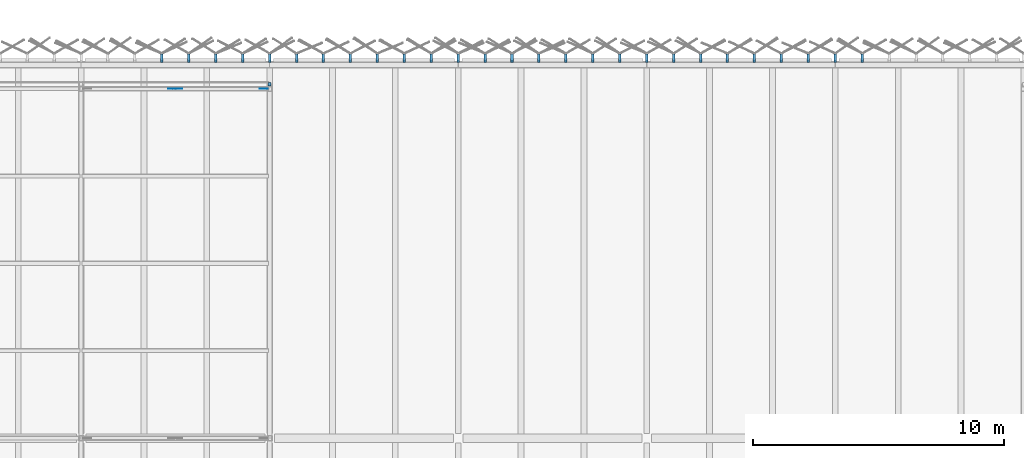
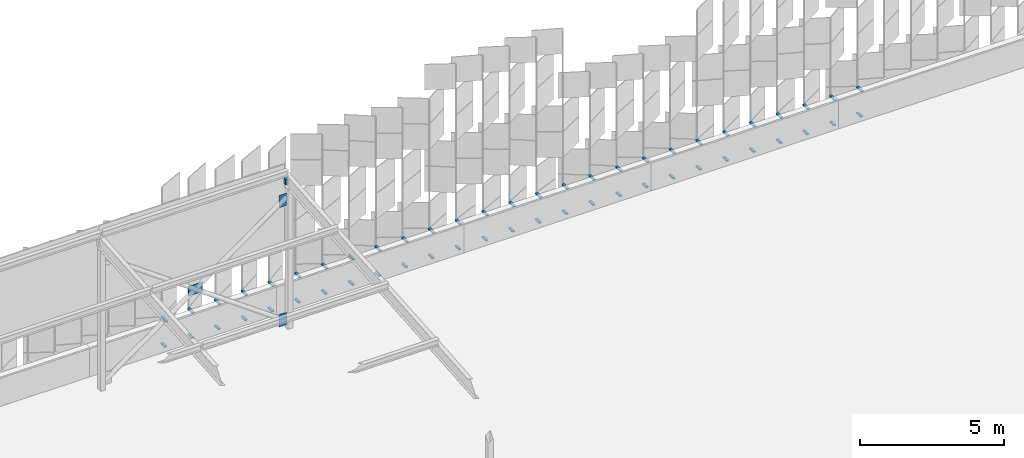
# One storey, part 455 of 483: 58 discrete accessories.
"""IFC4 building model written with IfcOpenShell, lengths in metres."""

import ifcopenshell
import ifcopenshell.guid

model = None  # the IFC model being written
_history = None  # IfcOwnerHistory: only IFC2X3 demands one
_inside = {}  # id of a spatial element -> (the spatial element, [elements in it])
_under = {}  # id of a project, library or spatial element -> (it, [spatial elements below it])
_declared = {}  # id of a project -> (the project, [libraries it declares])
_typed = {}  # id of a type object -> (the type object, [elements of that type])
_made_of = {}  # id of a material, layer set ... -> (it, [elements and type objects made of it])


def new_model(schema):
    """Start an empty IFC model of exactly this schema.

    Asked for "IFC4X3", IfcOpenShell would pick the latest addendum, in which some entities
    have other attributes; the version numbers below select the first issue.
    IFC2X3 requires an IfcOwnerHistory on every rooted entity: one is made here for all.
    """
    global model, _history
    if schema == "IFC4X3":
        model = ifcopenshell.file(schema_version=(4, 3, 0, 0))
    else:
        model = ifcopenshell.file(schema=schema)
    _inside.clear()
    _under.clear()
    _declared.clear()
    _typed.clear()
    _made_of.clear()
    _history = None
    if model.schema == "IFC2X3":
        org = make("IfcOrganization", Name="unknown")
        user = make(
            "IfcPersonAndOrganization",
            ThePerson=make("IfcPerson", FamilyName="unknown"),
            TheOrganization=org,
        )
        app = make(
            "IfcApplication",
            ApplicationDeveloper=org,
            Version="unknown",
            ApplicationFullName="unknown",
            ApplicationIdentifier="unknown",
        )
        _history = make(
            "IfcOwnerHistory",
            OwningUser=user,
            OwningApplication=app,
            ChangeAction="ADDED",
            CreationDate=0,
        )
    return model


def make(cls, **values):
    """One entity of the class cls with the attributes given. An attribute that is None is left unset."""
    return model.create_entity(
        cls, **{name: value for name, value in values.items() if value is not None}
    )


def rooted(cls, **values):
    """An entity with a GlobalId (a new one), such as an element, a storey or a relation."""
    return make(cls, GlobalId=ifcopenshell.guid.new(), OwnerHistory=_history, **values)


def si_unit(unit_type, name, prefix=None):
    """IfcSIUnit, for example si_unit("LENGTHUNIT", "METRE", prefix="MILLI")."""
    return make("IfcSIUnit", UnitType=unit_type, Prefix=prefix, Name=name)


def assignment(units):
    """IfcUnitAssignment: the units of a project."""
    return None if units is None else make("IfcUnitAssignment", Units=units)


def point(xyz):
    """IfcCartesianPoint."""
    return None if xyz is None else make("IfcCartesianPoint", Coordinates=xyz)


def direction(xyz):
    """IfcDirection."""
    return None if xyz is None else make("IfcDirection", DirectionRatios=xyz)


def frame(location, z_axis=None, x_axis=None):
    """IfcAxis2Placement3D, a coordinate frame: its origin and axes. An axis left out is left unset."""
    return make(
        "IfcAxis2Placement3D",
        Location=point(location),
        Axis=direction(z_axis),
        RefDirection=direction(x_axis),
    )


def frame_2d(location, x_axis=None):
    """IfcAxis2Placement2D, a coordinate frame in the plane: its origin and x axis."""
    return make(
        "IfcAxis2Placement2D", Location=point(location), RefDirection=direction(x_axis)
    )


def origin():
    """The frame at (0, 0, 0) with its axes left unset."""
    return frame((0.0, 0.0, 0.0))


def origin_2d():
    """The frame at (0, 0) in the plane with its x axis left unset."""
    return frame_2d((0.0, 0.0))


def place(relative_to, where):
    """IfcLocalPlacement: puts the frame where relative to a parent placement (None: the world)."""
    return make(
        "IfcLocalPlacement", PlacementRelTo=relative_to, RelativePlacement=where
    )


def context(
    kind, dimensions, precision=None, world=None, true_north=None, identifier=None
):
    """IfcGeometricRepresentationContext, for example the 3D "Model" context."""
    return make(
        "IfcGeometricRepresentationContext",
        ContextIdentifier=identifier,
        ContextType=kind,
        CoordinateSpaceDimension=dimensions,
        Precision=precision,
        WorldCoordinateSystem=world,
        TrueNorth=true_north,
    )


def subcontext(parent, identifier, kind, view, scale=None):
    """IfcGeometricRepresentationSubContext, for example "Body" below "Model"."""
    return make(
        "IfcGeometricRepresentationSubContext",
        ContextIdentifier=identifier,
        ContextType=kind,
        ParentContext=parent,
        TargetScale=scale,
        TargetView=view,
    )


def project(units=None, contexts=None):
    """IfcProject with its units and contexts."""
    return rooted(
        "IfcProject",
        Name="project",
        RepresentationContexts=contexts,
        UnitsInContext=assignment(units),
    )


def spatial(cls, under=None, at=None, **own):
    """A site, building, storey or space (cls), placed at a placement, below another one or the project."""
    s = rooted(cls, ObjectPlacement=at, **own)
    if under is not None:
        _under.setdefault(under.id(), (under, []))[1].append(s)
    return s


def polyline(points):
    """IfcPolyline through the points."""
    return make("IfcPolyline", Points=[point(p) for p in points])


def profile(cls, at=None, kind="AREA", **sizes):
    """A parametric profile (cls). Its sizes go by their IFC names, for example OverallWidth=200.0."""
    return make(cls, ProfileType=kind, Position=at, **sizes)


def rectangle(**sizes):
    """IfcRectangleProfileDef."""
    return profile("IfcRectangleProfileDef", **sizes)


def outline(outer, holes=None, kind="AREA"):
    """IfcArbitraryClosedProfileDef: a profile drawn as a closed curve; with holes, ...WithVoids."""
    if holes is None:
        return make("IfcArbitraryClosedProfileDef", ProfileType=kind, OuterCurve=outer)
    return make(
        "IfcArbitraryProfileDefWithVoids",
        ProfileType=kind,
        OuterCurve=outer,
        InnerCurves=holes,
    )


def extrude(swept, where, along, depth):
    """IfcExtrudedAreaSolid: the profile swept, set in the frame where, extruded along a direction by depth."""
    return make(
        "IfcExtrudedAreaSolid",
        SweptArea=swept,
        Position=where,
        ExtrudedDirection=direction(along),
        Depth=depth,
    )


def shape(context_of_items, identifier, shape_type, items):
    """IfcShapeRepresentation: the items that make up one representation, for example the "Body"."""
    return make(
        "IfcShapeRepresentation",
        ContextOfItems=context_of_items,
        RepresentationIdentifier=identifier,
        RepresentationType=shape_type,
        Items=items,
    )


def material(Name=None, Category=None):
    """IfcMaterial."""
    return make("IfcMaterial", Name=Name, Category=Category)


def layer(
    of_material, thickness, ventilated=None, Name=None, Category=None, Priority=None
):
    """IfcMaterialLayer: one layer of a wall or slab, of a material (None: an air gap)."""
    return make(
        "IfcMaterialLayer",
        Material=of_material,
        LayerThickness=thickness,
        IsVentilated=ventilated,
        Name=Name,
        Category=Category,
        Priority=Priority,
    )


def layer_set(layers, Name=None):
    """IfcMaterialLayerSet."""
    return make("IfcMaterialLayerSet", MaterialLayers=layers, LayerSetName=Name)


def made_of(thing, what):
    """Note that an element or type object is made of a material, layer set ...; save() writes the relation."""
    if what is not None:
        _made_of.setdefault(what.id(), (what, []))[1].append(thing)
    return thing


def type_object(cls, material=None, **own):
    """A type object (cls), such as IfcWallType, which elements share."""
    return made_of(rooted(cls, **own), material)


def element(
    cls,
    number,
    at=None,
    inside=None,
    cuts=None,
    type_object=None,
    material=None,
    context=None,
    identifier="Body",
    shape_type=None,
    held_by="IfcProductDefinitionShape",
    body=None,
    shapes=None,
    **own,
):
    """One element of the class cls, such as IfcWall. Its Tag is "e" and its number.

    at: its placement. inside: the storey or other place that contains it. cuts: it is an
    opening in that element (IfcRelVoidsElement). A single representation is given by context,
    identifier, shape_type and body (its items); several are given by shapes. held_by: the class
    of the entity that holds the representations. save() writes the other relations.
    """
    e = rooted(cls, Tag="e%d" % number, ObjectPlacement=at, **own)
    if body is not None:
        shapes = [shape(context, identifier, shape_type, body)]
    if shapes is not None:
        e.Representation = make(held_by, Representations=shapes)
    if inside is not None:
        _inside.setdefault(inside.id(), (inside, []))[1].append(e)
    if cuts is not None:
        rooted(
            "IfcRelVoidsElement", RelatingBuildingElement=cuts, RelatedOpeningElement=e
        )
    if type_object is not None:
        _typed.setdefault(type_object.id(), (type_object, []))[1].append(e)
    return made_of(e, material)


def aggregate(whole, parts):
    """IfcRelAggregates: a whole, such as a stair, and the parts it consists of."""
    return rooted("IfcRelAggregates", RelatingObject=whole, RelatedObjects=parts)


def save(model, path):
    """Write the relations noted so far, then the file.

    IfcRelAggregates (storeys below a building ...), IfcRelContainedInSpatialStructure (elements
    in a storey), IfcRelDefinesByType, IfcRelAssociatesMaterial and IfcRelDeclares: one each for
    every whole, place, type object, material and project.
    """
    for whole, parts in _under.values():
        aggregate(whole, parts)
    for where, things in _inside.values():
        rooted(
            "IfcRelContainedInSpatialStructure",
            RelatedElements=things,
            RelatingStructure=where,
        )
    for kind, things in _typed.values():
        rooted("IfcRelDefinesByType", RelatedObjects=things, RelatingType=kind)
    for what, things in _made_of.values():
        rooted("IfcRelAssociatesMaterial", RelatedObjects=things, RelatingMaterial=what)
    for by, libraries in _declared.values():
        rooted("IfcRelDeclares", RelatingContext=by, RelatedDefinitions=libraries)
    model.write(path)


model = new_model("IFC4")

# Units and contexts
model_context = context("Model", 3, precision=1e-05, world=origin(), true_north=direction((0.0, 1.0)))
body_context = subcontext(model_context, "Body", "Model", "MODEL_VIEW")
ifc_project = project(units=[si_unit("LENGTHUNIT", "METRE"), si_unit("AREAUNIT", "SQUARE_METRE"), si_unit("VOLUMEUNIT", "CUBIC_METRE"), si_unit("PLANEANGLEUNIT", "RADIAN"), si_unit("MASSUNIT", "GRAM", prefix="KILO")], contexts=[model_context])

# Site, building, storey
site_placement = place(None, origin())
site = spatial("IfcSite", under=ifc_project, at=site_placement, CompositionType="ELEMENT")
building_placement = place(site_placement, origin())
building = spatial("IfcBuilding", under=site, at=building_placement, Name="Parallax Yard Mobility Hub", CompositionType="ELEMENT")
storey_placement = place(building_placement, frame((0.0, 0.0, 13.199951171875)))
storey = spatial("IfcBuildingStorey", under=building, at=storey_placement, Name="L04", CompositionType="ELEMENT", Elevation=13.199951171875)

# Discrete accessories
ifc_material_1 = material(Name="Steel ASTM A36", Category="steel")
ifc_layer = layer(ifc_material_1, 0.011962890625)
ifc_layer_set = layer_set([ifc_layer], Name="Gusset plate PL12")
discrete_accessory_type_1 = type_object("IfcDiscreteAccessoryType", Name="Gusset plate PL12", PredefinedType="BRACKET", material=ifc_layer_set)
discrete_accessory_1_placement = place(storey_placement, frame((0.0, 0.0, 5.196533203125)))
element("IfcDiscreteAccessory", 1, at=discrete_accessory_1_placement, inside=storey, type_object=discrete_accessory_type_1, Name="Gusset plate PL12 RC bay N-B bay 4 head on post N-B5", PredefinedType="BRACKET", context=body_context, shape_type="SweptSolid", body=[
    extrude(outline(polyline([(119.91845703125, 141.406005859375), (119.598388671875, 141.406005859375), (119.598388671875, 141.39404296875), (119.91845703125, 141.39404296875), (119.91845703125, 141.406005859375)])), origin(), (0.0, 0.0, 1.0), 0.515625),
])
discrete_accessory_2_placement = place(storey_placement, frame((0.0, 0.0, 0.150146484375)))
element("IfcDiscreteAccessory", 2, at=discrete_accessory_2_placement, inside=storey, type_object=discrete_accessory_type_1, Name="Gusset plate PL12 RC bay N-B bay 4 foot on post N-B5", PredefinedType="BRACKET", context=body_context, shape_type="SweptSolid", body=[
    extrude(outline(polyline([(119.91845703125, 141.406005859375), (119.598388671875, 141.406005859375), (119.598388671875, 141.39404296875), (119.91845703125, 141.39404296875), (119.91845703125, 141.406005859375)])), origin(), (0.0, 0.0, 1.0), 0.515380859375),
])
discrete_accessory_3_placement = place(storey_placement, frame((0.0, 0.0, 2.720947265625)))
element("IfcDiscreteAccessory", 3, at=discrete_accessory_3_placement, inside=storey, type_object=discrete_accessory_type_1, Name="Gusset plate PL12 RC bay N-B bay 4 crossing node", PredefinedType="BRACKET", context=body_context, shape_type="SweptSolid", body=[
    extrude(outline(polyline([(115.969970703125, 141.39404296875), (116.530029296875, 141.39404296875), (116.530029296875, 141.406005859375), (115.969970703125, 141.406005859375), (115.969970703125, 141.39404296875)])), origin(), (0.0, 0.0, 1.0), 0.420166015625),
])
ifc_material_2 = material(Name="Steel ASTM A36, hot-dip galvanised", Category="steel")
discrete_accessory_type_2 = type_object("IfcDiscreteAccessoryType", Name="Hinge bracket plate 100x50", PredefinedType="BRACKET", material=ifc_material_2)
discrete_accessory_4_placement = place(storey_placement, frame((143.56982421875, 142.6416015625, -0.02490234375), z_axis=(0.0, 0.0, 1.0), x_axis=(0.0, 1.0, 0.0)))
element("IfcDiscreteAccessory", 4, at=discrete_accessory_4_placement, inside=storey, type_object=discrete_accessory_type_2, Name="Hinge bracket plate bay 54.7 level L04", PredefinedType="BRACKET", context=body_context, shape_type="SweptSolid", body=[
    extrude(rectangle(XDim=0.2841796875, YDim=0.10009765625, at=origin_2d()), origin(), (0.0, 0.0, 1.0), 0.050048828125),
])
discrete_accessory_5_placement = place(storey_placement, frame((143.56982421875, 142.61865234375, 1.06982421875), z_axis=(0.0, 0.0, 1.0), x_axis=(0.0, 1.0, 0.0)))
element("IfcDiscreteAccessory", 5, at=discrete_accessory_5_placement, inside=storey, type_object=discrete_accessory_type_2, Name="Hinge bracket plate bay 54.7 level L04", PredefinedType="BRACKET", context=body_context, shape_type="SweptSolid", body=[
    extrude(rectangle(XDim=0.330078125, YDim=0.10009765625, at=origin_2d()), origin(), (0.0, 0.0, 1.0), 0.050048828125),
])
discrete_accessory_6_placement = place(storey_placement, frame((142.498291015625, 142.6416015625, -0.02490234375), z_axis=(0.0, 0.0, 1.0), x_axis=(0.0, 1.0, 0.0)))
element("IfcDiscreteAccessory", 6, at=discrete_accessory_6_placement, inside=storey, type_object=discrete_accessory_type_2, Name="Hinge bracket plate bay 55.1 level L04", PredefinedType="BRACKET", context=body_context, shape_type="SweptSolid", body=[
    extrude(rectangle(XDim=0.2841796875, YDim=0.10009765625, at=origin_2d()), origin(), (0.0, 0.0, 1.0), 0.050048828125),
])
discrete_accessory_7_placement = place(storey_placement, frame((142.498291015625, 142.61865234375, 1.06982421875), z_axis=(0.0, 0.0, 1.0), x_axis=(0.0, 1.0, 0.0)))
element("IfcDiscreteAccessory", 7, at=discrete_accessory_7_placement, inside=storey, type_object=discrete_accessory_type_2, Name="Hinge bracket plate bay 55.1 level L04", PredefinedType="BRACKET", context=body_context, shape_type="SweptSolid", body=[
    extrude(rectangle(XDim=0.330078125, YDim=0.10009765625, at=origin_2d()), origin(), (0.0, 0.0, 1.0), 0.050048828125),
])
discrete_accessory_8_placement = place(storey_placement, frame((141.4267578125, 142.6416015625, -0.02490234375), z_axis=(0.0, 0.0, 1.0), x_axis=(0.0, 1.0, 0.0)))
element("IfcDiscreteAccessory", 8, at=discrete_accessory_8_placement, inside=storey, type_object=discrete_accessory_type_2, Name="Hinge bracket plate bay 55.2 level L04", PredefinedType="BRACKET", context=body_context, shape_type="SweptSolid", body=[
    extrude(rectangle(XDim=0.2841796875, YDim=0.10009765625, at=origin_2d()), origin(), (0.0, 0.0, 1.0), 0.050048828125),
])
discrete_accessory_9_placement = place(storey_placement, frame((141.4267578125, 142.61865234375, 1.06982421875), z_axis=(0.0, 0.0, 1.0), x_axis=(0.0, 1.0, 0.0)))
element("IfcDiscreteAccessory", 9, at=discrete_accessory_9_placement, inside=storey, type_object=discrete_accessory_type_2, Name="Hinge bracket plate bay 55.2 level L04", PredefinedType="BRACKET", context=body_context, shape_type="SweptSolid", body=[
    extrude(rectangle(XDim=0.330078125, YDim=0.10009765625, at=origin_2d()), origin(), (0.0, 0.0, 1.0), 0.050048828125),
])
discrete_accessory_10_placement = place(storey_placement, frame((140.355224609375, 142.6416015625, -0.02490234375), z_axis=(0.0, 0.0, 1.0), x_axis=(0.0, 1.0, 0.0)))
element("IfcDiscreteAccessory", 10, at=discrete_accessory_10_placement, inside=storey, type_object=discrete_accessory_type_2, Name="Hinge bracket plate bay 55.3 level L04", PredefinedType="BRACKET", context=body_context, shape_type="SweptSolid", body=[
    extrude(rectangle(XDim=0.2841796875, YDim=0.10009765625, at=origin_2d()), origin(), (0.0, 0.0, 1.0), 0.050048828125),
])
discrete_accessory_11_placement = place(storey_placement, frame((140.355224609375, 142.61865234375, 1.06982421875), z_axis=(0.0, 0.0, 1.0), x_axis=(0.0, 1.0, 0.0)))
element("IfcDiscreteAccessory", 11, at=discrete_accessory_11_placement, inside=storey, type_object=discrete_accessory_type_2, Name="Hinge bracket plate bay 55.3 level L04", PredefinedType="BRACKET", context=body_context, shape_type="SweptSolid", body=[
    extrude(rectangle(XDim=0.330078125, YDim=0.10009765625, at=origin_2d()), origin(), (0.0, 0.0, 1.0), 0.050048828125),
])
discrete_accessory_12_placement = place(storey_placement, frame((139.28369140625, 142.6416015625, -0.02490234375), z_axis=(0.0, 0.0, 1.0), x_axis=(0.0, 1.0, 0.0)))
element("IfcDiscreteAccessory", 12, at=discrete_accessory_12_placement, inside=storey, type_object=discrete_accessory_type_2, Name="Hinge bracket plate bay 55.4 level L04", PredefinedType="BRACKET", context=body_context, shape_type="SweptSolid", body=[
    extrude(rectangle(XDim=0.2841796875, YDim=0.10009765625, at=origin_2d()), origin(), (0.0, 0.0, 1.0), 0.050048828125),
])
discrete_accessory_13_placement = place(storey_placement, frame((139.28369140625, 142.61865234375, 1.06982421875), z_axis=(0.0, 0.0, 1.0), x_axis=(0.0, 1.0, 0.0)))
element("IfcDiscreteAccessory", 13, at=discrete_accessory_13_placement, inside=storey, type_object=discrete_accessory_type_2, Name="Hinge bracket plate bay 55.4 level L04", PredefinedType="BRACKET", context=body_context, shape_type="SweptSolid", body=[
    extrude(rectangle(XDim=0.330078125, YDim=0.10009765625, at=origin_2d()), origin(), (0.0, 0.0, 1.0), 0.050048828125),
])
discrete_accessory_14_placement = place(storey_placement, frame((138.212158203125, 142.6416015625, -0.02490234375), z_axis=(0.0, 0.0, 1.0), x_axis=(0.0, 1.0, 0.0)))
element("IfcDiscreteAccessory", 14, at=discrete_accessory_14_placement, inside=storey, type_object=discrete_accessory_type_2, Name="Hinge bracket plate bay 55.5 level L04", PredefinedType="BRACKET", context=body_context, shape_type="SweptSolid", body=[
    extrude(rectangle(XDim=0.2841796875, YDim=0.10009765625, at=origin_2d()), origin(), (0.0, 0.0, 1.0), 0.050048828125),
])
discrete_accessory_15_placement = place(storey_placement, frame((138.212158203125, 142.61865234375, 1.06982421875), z_axis=(0.0, 0.0, 1.0), x_axis=(0.0, 1.0, 0.0)))
element("IfcDiscreteAccessory", 15, at=discrete_accessory_15_placement, inside=storey, type_object=discrete_accessory_type_2, Name="Hinge bracket plate bay 55.5 level L04", PredefinedType="BRACKET", context=body_context, shape_type="SweptSolid", body=[
    extrude(rectangle(XDim=0.330078125, YDim=0.10009765625, at=origin_2d()), origin(), (0.0, 0.0, 1.0), 0.050048828125),
])
discrete_accessory_16_placement = place(storey_placement, frame((137.140380859375, 142.6416015625, -0.02490234375), z_axis=(0.0, 0.0, 1.0), x_axis=(0.0, 1.0, 0.0)))
element("IfcDiscreteAccessory", 16, at=discrete_accessory_16_placement, inside=storey, type_object=discrete_accessory_type_2, Name="Hinge bracket plate bay 55.6 level L04", PredefinedType="BRACKET", context=body_context, shape_type="SweptSolid", body=[
    extrude(rectangle(XDim=0.2841796875, YDim=0.10009765625, at=origin_2d()), origin(), (0.0, 0.0, 1.0), 0.050048828125),
])
discrete_accessory_17_placement = place(storey_placement, frame((137.140380859375, 142.61865234375, 1.06982421875), z_axis=(0.0, 0.0, 1.0), x_axis=(0.0, 1.0, 0.0)))
element("IfcDiscreteAccessory", 17, at=discrete_accessory_17_placement, inside=storey, type_object=discrete_accessory_type_2, Name="Hinge bracket plate bay 55.6 level L04", PredefinedType="BRACKET", context=body_context, shape_type="SweptSolid", body=[
    extrude(rectangle(XDim=0.330078125, YDim=0.10009765625, at=origin_2d()), origin(), (0.0, 0.0, 1.0), 0.050048828125),
])
discrete_accessory_18_placement = place(storey_placement, frame((136.069091796875, 142.6416015625, -0.02490234375), z_axis=(0.0, 0.0, 1.0), x_axis=(0.0, 1.0, 0.0)))
element("IfcDiscreteAccessory", 18, at=discrete_accessory_18_placement, inside=storey, type_object=discrete_accessory_type_2, Name="Hinge bracket plate bay 55.7 level L04", PredefinedType="BRACKET", context=body_context, shape_type="SweptSolid", body=[
    extrude(rectangle(XDim=0.2841796875, YDim=0.10009765625, at=origin_2d()), origin(), (0.0, 0.0, 1.0), 0.050048828125),
])
discrete_accessory_19_placement = place(storey_placement, frame((136.069091796875, 142.61865234375, 1.06982421875), z_axis=(0.0, 0.0, 1.0), x_axis=(0.0, 1.0, 0.0)))
element("IfcDiscreteAccessory", 19, at=discrete_accessory_19_placement, inside=storey, type_object=discrete_accessory_type_2, Name="Hinge bracket plate bay 55.7 level L04", PredefinedType="BRACKET", context=body_context, shape_type="SweptSolid", body=[
    extrude(rectangle(XDim=0.330078125, YDim=0.10009765625, at=origin_2d()), origin(), (0.0, 0.0, 1.0), 0.050048828125),
])
discrete_accessory_20_placement = place(storey_placement, frame((134.997314453125, 142.6416015625, -0.02490234375), z_axis=(0.0, 0.0, 1.0), x_axis=(0.0, 1.0, 0.0)))
element("IfcDiscreteAccessory", 20, at=discrete_accessory_20_placement, inside=storey, type_object=discrete_accessory_type_2, Name="Hinge bracket plate bay 56.1 level L04", PredefinedType="BRACKET", context=body_context, shape_type="SweptSolid", body=[
    extrude(rectangle(XDim=0.2841796875, YDim=0.10009765625, at=origin_2d()), origin(), (0.0, 0.0, 1.0), 0.050048828125),
])
discrete_accessory_21_placement = place(storey_placement, frame((134.997314453125, 142.61865234375, 1.06982421875), z_axis=(0.0, 0.0, 1.0), x_axis=(0.0, 1.0, 0.0)))
element("IfcDiscreteAccessory", 21, at=discrete_accessory_21_placement, inside=storey, type_object=discrete_accessory_type_2, Name="Hinge bracket plate bay 56.1 level L04", PredefinedType="BRACKET", context=body_context, shape_type="SweptSolid", body=[
    extrude(rectangle(XDim=0.330078125, YDim=0.10009765625, at=origin_2d()), origin(), (0.0, 0.0, 1.0), 0.050048828125),
])
discrete_accessory_22_placement = place(storey_placement, frame((133.92578125, 142.6416015625, -0.02490234375), z_axis=(0.0, 0.0, 1.0), x_axis=(0.0, 1.0, 0.0)))
element("IfcDiscreteAccessory", 22, at=discrete_accessory_22_placement, inside=storey, type_object=discrete_accessory_type_2, Name="Hinge bracket plate bay 56.2 level L04", PredefinedType="BRACKET", context=body_context, shape_type="SweptSolid", body=[
    extrude(rectangle(XDim=0.2841796875, YDim=0.10009765625, at=origin_2d()), origin(), (0.0, 0.0, 1.0), 0.050048828125),
])
discrete_accessory_23_placement = place(storey_placement, frame((133.92578125, 142.61865234375, 1.06982421875), z_axis=(0.0, 0.0, 1.0), x_axis=(0.0, 1.0, 0.0)))
element("IfcDiscreteAccessory", 23, at=discrete_accessory_23_placement, inside=storey, type_object=discrete_accessory_type_2, Name="Hinge bracket plate bay 56.2 level L04", PredefinedType="BRACKET", context=body_context, shape_type="SweptSolid", body=[
    extrude(rectangle(XDim=0.330078125, YDim=0.10009765625, at=origin_2d()), origin(), (0.0, 0.0, 1.0), 0.050048828125),
])
discrete_accessory_24_placement = place(storey_placement, frame((132.854248046875, 142.6416015625, -0.02490234375), z_axis=(0.0, 0.0, 1.0), x_axis=(0.0, 1.0, 0.0)))
element("IfcDiscreteAccessory", 24, at=discrete_accessory_24_placement, inside=storey, type_object=discrete_accessory_type_2, Name="Hinge bracket plate bay 56.3 level L04", PredefinedType="BRACKET", context=body_context, shape_type="SweptSolid", body=[
    extrude(rectangle(XDim=0.2841796875, YDim=0.10009765625, at=origin_2d()), origin(), (0.0, 0.0, 1.0), 0.050048828125),
])
discrete_accessory_25_placement = place(storey_placement, frame((132.854248046875, 142.61865234375, 1.06982421875), z_axis=(0.0, 0.0, 1.0), x_axis=(0.0, 1.0, 0.0)))
element("IfcDiscreteAccessory", 25, at=discrete_accessory_25_placement, inside=storey, type_object=discrete_accessory_type_2, Name="Hinge bracket plate bay 56.3 level L04", PredefinedType="BRACKET", context=body_context, shape_type="SweptSolid", body=[
    extrude(rectangle(XDim=0.330078125, YDim=0.10009765625, at=origin_2d()), origin(), (0.0, 0.0, 1.0), 0.050048828125),
])
discrete_accessory_26_placement = place(storey_placement, frame((131.78271484375, 142.6416015625, -0.02490234375), z_axis=(0.0, 0.0, 1.0), x_axis=(0.0, 1.0, 0.0)))
element("IfcDiscreteAccessory", 26, at=discrete_accessory_26_placement, inside=storey, type_object=discrete_accessory_type_2, Name="Hinge bracket plate bay 56.4 level L04", PredefinedType="BRACKET", context=body_context, shape_type="SweptSolid", body=[
    extrude(rectangle(XDim=0.2841796875, YDim=0.10009765625, at=origin_2d()), origin(), (0.0, 0.0, 1.0), 0.050048828125),
])
discrete_accessory_27_placement = place(storey_placement, frame((131.78271484375, 142.61865234375, 1.06982421875), z_axis=(0.0, 0.0, 1.0), x_axis=(0.0, 1.0, 0.0)))
element("IfcDiscreteAccessory", 27, at=discrete_accessory_27_placement, inside=storey, type_object=discrete_accessory_type_2, Name="Hinge bracket plate bay 56.4 level L04", PredefinedType="BRACKET", context=body_context, shape_type="SweptSolid", body=[
    extrude(rectangle(XDim=0.330078125, YDim=0.10009765625, at=origin_2d()), origin(), (0.0, 0.0, 1.0), 0.050048828125),
])
discrete_accessory_28_placement = place(storey_placement, frame((130.711181640625, 142.6416015625, -0.02490234375), z_axis=(0.0, 0.0, 1.0), x_axis=(0.0, 1.0, 0.0)))
element("IfcDiscreteAccessory", 28, at=discrete_accessory_28_placement, inside=storey, type_object=discrete_accessory_type_2, Name="Hinge bracket plate bay 56.5 level L04", PredefinedType="BRACKET", context=body_context, shape_type="SweptSolid", body=[
    extrude(rectangle(XDim=0.2841796875, YDim=0.10009765625, at=origin_2d()), origin(), (0.0, 0.0, 1.0), 0.050048828125),
])
discrete_accessory_29_placement = place(storey_placement, frame((130.711181640625, 142.61865234375, 1.06982421875), z_axis=(0.0, 0.0, 1.0), x_axis=(0.0, 1.0, 0.0)))
element("IfcDiscreteAccessory", 29, at=discrete_accessory_29_placement, inside=storey, type_object=discrete_accessory_type_2, Name="Hinge bracket plate bay 56.5 level L04", PredefinedType="BRACKET", context=body_context, shape_type="SweptSolid", body=[
    extrude(rectangle(XDim=0.330078125, YDim=0.10009765625, at=origin_2d()), origin(), (0.0, 0.0, 1.0), 0.050048828125),
])
discrete_accessory_30_placement = place(storey_placement, frame((129.6396484375, 142.6416015625, -0.02490234375), z_axis=(0.0, 0.0, 1.0), x_axis=(0.0, 1.0, 0.0)))
element("IfcDiscreteAccessory", 30, at=discrete_accessory_30_placement, inside=storey, type_object=discrete_accessory_type_2, Name="Hinge bracket plate bay 56.6 level L04", PredefinedType="BRACKET", context=body_context, shape_type="SweptSolid", body=[
    extrude(rectangle(XDim=0.2841796875, YDim=0.10009765625, at=origin_2d()), origin(), (0.0, 0.0, 1.0), 0.050048828125),
])
discrete_accessory_31_placement = place(storey_placement, frame((129.6396484375, 142.61865234375, 1.06982421875), z_axis=(0.0, 0.0, 1.0), x_axis=(0.0, 1.0, 0.0)))
element("IfcDiscreteAccessory", 31, at=discrete_accessory_31_placement, inside=storey, type_object=discrete_accessory_type_2, Name="Hinge bracket plate bay 56.6 level L04", PredefinedType="BRACKET", context=body_context, shape_type="SweptSolid", body=[
    extrude(rectangle(XDim=0.330078125, YDim=0.10009765625, at=origin_2d()), origin(), (0.0, 0.0, 1.0), 0.050048828125),
])
discrete_accessory_32_placement = place(storey_placement, frame((128.568115234375, 142.6416015625, -0.02490234375), z_axis=(0.0, 0.0, 1.0), x_axis=(0.0, 1.0, 0.0)))
element("IfcDiscreteAccessory", 32, at=discrete_accessory_32_placement, inside=storey, type_object=discrete_accessory_type_2, Name="Hinge bracket plate bay 56.7 level L04", PredefinedType="BRACKET", context=body_context, shape_type="SweptSolid", body=[
    extrude(rectangle(XDim=0.2841796875, YDim=0.10009765625, at=origin_2d()), origin(), (0.0, 0.0, 1.0), 0.050048828125),
])
discrete_accessory_33_placement = place(storey_placement, frame((128.568115234375, 142.61865234375, 1.06982421875), z_axis=(0.0, 0.0, 1.0), x_axis=(0.0, 1.0, 0.0)))
element("IfcDiscreteAccessory", 33, at=discrete_accessory_33_placement, inside=storey, type_object=discrete_accessory_type_2, Name="Hinge bracket plate bay 56.7 level L04", PredefinedType="BRACKET", context=body_context, shape_type="SweptSolid", body=[
    extrude(rectangle(XDim=0.330078125, YDim=0.10009765625, at=origin_2d()), origin(), (0.0, 0.0, 1.0), 0.050048828125),
])
discrete_accessory_34_placement = place(storey_placement, frame((127.49658203125, 142.6416015625, -0.02490234375), z_axis=(0.0, 0.0, 1.0), x_axis=(0.0, 1.0, 0.0)))
element("IfcDiscreteAccessory", 34, at=discrete_accessory_34_placement, inside=storey, type_object=discrete_accessory_type_2, Name="Hinge bracket plate bay 57.1 level L04", PredefinedType="BRACKET", context=body_context, shape_type="SweptSolid", body=[
    extrude(rectangle(XDim=0.2841796875, YDim=0.10009765625, at=origin_2d()), origin(), (0.0, 0.0, 1.0), 0.050048828125),
])
discrete_accessory_35_placement = place(storey_placement, frame((127.49658203125, 142.61865234375, 1.06982421875), z_axis=(0.0, 0.0, 1.0), x_axis=(0.0, 1.0, 0.0)))
element("IfcDiscreteAccessory", 35, at=discrete_accessory_35_placement, inside=storey, type_object=discrete_accessory_type_2, Name="Hinge bracket plate bay 57.1 level L04", PredefinedType="BRACKET", context=body_context, shape_type="SweptSolid", body=[
    extrude(rectangle(XDim=0.330078125, YDim=0.10009765625, at=origin_2d()), origin(), (0.0, 0.0, 1.0), 0.050048828125),
])
discrete_accessory_36_placement = place(storey_placement, frame((126.425048828125, 142.6416015625, -0.02490234375), z_axis=(0.0, 0.0, 1.0), x_axis=(0.0, 1.0, 0.0)))
element("IfcDiscreteAccessory", 36, at=discrete_accessory_36_placement, inside=storey, type_object=discrete_accessory_type_2, Name="Hinge bracket plate bay 57.2 level L04", PredefinedType="BRACKET", context=body_context, shape_type="SweptSolid", body=[
    extrude(rectangle(XDim=0.2841796875, YDim=0.10009765625, at=origin_2d()), origin(), (0.0, 0.0, 1.0), 0.050048828125),
])
discrete_accessory_37_placement = place(storey_placement, frame((126.425048828125, 142.61865234375, 1.06982421875), z_axis=(0.0, 0.0, 1.0), x_axis=(0.0, 1.0, 0.0)))
element("IfcDiscreteAccessory", 37, at=discrete_accessory_37_placement, inside=storey, type_object=discrete_accessory_type_2, Name="Hinge bracket plate bay 57.2 level L04", PredefinedType="BRACKET", context=body_context, shape_type="SweptSolid", body=[
    extrude(rectangle(XDim=0.330078125, YDim=0.10009765625, at=origin_2d()), origin(), (0.0, 0.0, 1.0), 0.050048828125),
])
discrete_accessory_38_placement = place(storey_placement, frame((125.353515625, 142.6416015625, -0.02490234375), z_axis=(0.0, 0.0, 1.0), x_axis=(0.0, 1.0, 0.0)))
element("IfcDiscreteAccessory", 38, at=discrete_accessory_38_placement, inside=storey, type_object=discrete_accessory_type_2, Name="Hinge bracket plate bay 57.3 level L04", PredefinedType="BRACKET", context=body_context, shape_type="SweptSolid", body=[
    extrude(rectangle(XDim=0.2841796875, YDim=0.10009765625, at=origin_2d()), origin(), (0.0, 0.0, 1.0), 0.050048828125),
])
discrete_accessory_39_placement = place(storey_placement, frame((125.353515625, 142.61865234375, 1.06982421875), z_axis=(0.0, 0.0, 1.0), x_axis=(0.0, 1.0, 0.0)))
element("IfcDiscreteAccessory", 39, at=discrete_accessory_39_placement, inside=storey, type_object=discrete_accessory_type_2, Name="Hinge bracket plate bay 57.3 level L04", PredefinedType="BRACKET", context=body_context, shape_type="SweptSolid", body=[
    extrude(rectangle(XDim=0.330078125, YDim=0.10009765625, at=origin_2d()), origin(), (0.0, 0.0, 1.0), 0.050048828125),
])
discrete_accessory_40_placement = place(storey_placement, frame((124.281982421875, 142.6416015625, -0.02490234375), z_axis=(0.0, 0.0, 1.0), x_axis=(0.0, 1.0, 0.0)))
element("IfcDiscreteAccessory", 40, at=discrete_accessory_40_placement, inside=storey, type_object=discrete_accessory_type_2, Name="Hinge bracket plate bay 57.4 level L04", PredefinedType="BRACKET", context=body_context, shape_type="SweptSolid", body=[
    extrude(rectangle(XDim=0.2841796875, YDim=0.10009765625, at=origin_2d()), origin(), (0.0, 0.0, 1.0), 0.050048828125),
])
discrete_accessory_41_placement = place(storey_placement, frame((124.281982421875, 142.61865234375, 1.06982421875), z_axis=(0.0, 0.0, 1.0), x_axis=(0.0, 1.0, 0.0)))
element("IfcDiscreteAccessory", 41, at=discrete_accessory_41_placement, inside=storey, type_object=discrete_accessory_type_2, Name="Hinge bracket plate bay 57.4 level L04", PredefinedType="BRACKET", context=body_context, shape_type="SweptSolid", body=[
    extrude(rectangle(XDim=0.330078125, YDim=0.10009765625, at=origin_2d()), origin(), (0.0, 0.0, 1.0), 0.050048828125),
])
discrete_accessory_42_placement = place(storey_placement, frame((123.210205078125, 142.6416015625, -0.02490234375), z_axis=(0.0, 0.0, 1.0), x_axis=(0.0, 1.0, 0.0)))
element("IfcDiscreteAccessory", 42, at=discrete_accessory_42_placement, inside=storey, type_object=discrete_accessory_type_2, Name="Hinge bracket plate bay 57.5 level L04", PredefinedType="BRACKET", context=body_context, shape_type="SweptSolid", body=[
    extrude(rectangle(XDim=0.2841796875, YDim=0.10009765625, at=origin_2d()), origin(), (0.0, 0.0, 1.0), 0.050048828125),
])
discrete_accessory_43_placement = place(storey_placement, frame((123.210205078125, 142.61865234375, 1.06982421875), z_axis=(0.0, 0.0, 1.0), x_axis=(0.0, 1.0, 0.0)))
element("IfcDiscreteAccessory", 43, at=discrete_accessory_43_placement, inside=storey, type_object=discrete_accessory_type_2, Name="Hinge bracket plate bay 57.5 level L04", PredefinedType="BRACKET", context=body_context, shape_type="SweptSolid", body=[
    extrude(rectangle(XDim=0.330078125, YDim=0.10009765625, at=origin_2d()), origin(), (0.0, 0.0, 1.0), 0.050048828125),
])
discrete_accessory_44_placement = place(storey_placement, frame((122.138916015625, 142.6416015625, -0.02490234375), z_axis=(0.0, 0.0, 1.0), x_axis=(0.0, 1.0, 0.0)))
element("IfcDiscreteAccessory", 44, at=discrete_accessory_44_placement, inside=storey, type_object=discrete_accessory_type_2, Name="Hinge bracket plate bay 57.6 level L04", PredefinedType="BRACKET", context=body_context, shape_type="SweptSolid", body=[
    extrude(rectangle(XDim=0.2841796875, YDim=0.10009765625, at=origin_2d()), origin(), (0.0, 0.0, 1.0), 0.050048828125),
])
discrete_accessory_45_placement = place(storey_placement, frame((122.138916015625, 142.61865234375, 1.06982421875), z_axis=(0.0, 0.0, 1.0), x_axis=(0.0, 1.0, 0.0)))
element("IfcDiscreteAccessory", 45, at=discrete_accessory_45_placement, inside=storey, type_object=discrete_accessory_type_2, Name="Hinge bracket plate bay 57.6 level L04", PredefinedType="BRACKET", context=body_context, shape_type="SweptSolid", body=[
    extrude(rectangle(XDim=0.330078125, YDim=0.10009765625, at=origin_2d()), origin(), (0.0, 0.0, 1.0), 0.050048828125),
])
discrete_accessory_46_placement = place(storey_placement, frame((121.067138671875, 142.6416015625, -0.02490234375), z_axis=(0.0, 0.0, 1.0), x_axis=(0.0, 1.0, 0.0)))
element("IfcDiscreteAccessory", 46, at=discrete_accessory_46_placement, inside=storey, type_object=discrete_accessory_type_2, Name="Hinge bracket plate bay 57.7 level L04", PredefinedType="BRACKET", context=body_context, shape_type="SweptSolid", body=[
    extrude(rectangle(XDim=0.2841796875, YDim=0.10009765625, at=origin_2d()), origin(), (0.0, 0.0, 1.0), 0.050048828125),
])
discrete_accessory_47_placement = place(storey_placement, frame((121.067138671875, 142.61865234375, 1.06982421875), z_axis=(0.0, 0.0, 1.0), x_axis=(0.0, 1.0, 0.0)))
element("IfcDiscreteAccessory", 47, at=discrete_accessory_47_placement, inside=storey, type_object=discrete_accessory_type_2, Name="Hinge bracket plate bay 57.7 level L04", PredefinedType="BRACKET", context=body_context, shape_type="SweptSolid", body=[
    extrude(rectangle(XDim=0.330078125, YDim=0.10009765625, at=origin_2d()), origin(), (0.0, 0.0, 1.0), 0.050048828125),
])
discrete_accessory_48_placement = place(storey_placement, frame((119.99560546875, 142.6416015625, -0.02490234375), z_axis=(0.0, 0.0, 1.0), x_axis=(0.0, 1.0, 0.0)))
element("IfcDiscreteAccessory", 48, at=discrete_accessory_48_placement, inside=storey, type_object=discrete_accessory_type_2, Name="Hinge bracket plate bay 58.1 level L04", PredefinedType="BRACKET", context=body_context, shape_type="SweptSolid", body=[
    extrude(rectangle(XDim=0.2841796875, YDim=0.10009765625, at=origin_2d()), origin(), (0.0, 0.0, 1.0), 0.050048828125),
])
discrete_accessory_49_placement = place(storey_placement, frame((119.99560546875, 142.61865234375, 1.06982421875), z_axis=(0.0, 0.0, 1.0), x_axis=(0.0, 1.0, 0.0)))
element("IfcDiscreteAccessory", 49, at=discrete_accessory_49_placement, inside=storey, type_object=discrete_accessory_type_2, Name="Hinge bracket plate bay 58.1 level L04", PredefinedType="BRACKET", context=body_context, shape_type="SweptSolid", body=[
    extrude(rectangle(XDim=0.330078125, YDim=0.10009765625, at=origin_2d()), origin(), (0.0, 0.0, 1.0), 0.050048828125),
])
discrete_accessory_50_placement = place(storey_placement, frame((118.924072265625, 142.6416015625, -0.02490234375), z_axis=(0.0, 0.0, 1.0), x_axis=(0.0, 1.0, 0.0)))
element("IfcDiscreteAccessory", 50, at=discrete_accessory_50_placement, inside=storey, type_object=discrete_accessory_type_2, Name="Hinge bracket plate bay 58.2 level L04", PredefinedType="BRACKET", context=body_context, shape_type="SweptSolid", body=[
    extrude(rectangle(XDim=0.2841796875, YDim=0.10009765625, at=origin_2d()), origin(), (0.0, 0.0, 1.0), 0.050048828125),
])
discrete_accessory_51_placement = place(storey_placement, frame((118.924072265625, 142.61865234375, 1.06982421875), z_axis=(0.0, 0.0, 1.0), x_axis=(0.0, 1.0, 0.0)))
element("IfcDiscreteAccessory", 51, at=discrete_accessory_51_placement, inside=storey, type_object=discrete_accessory_type_2, Name="Hinge bracket plate bay 58.2 level L04", PredefinedType="BRACKET", context=body_context, shape_type="SweptSolid", body=[
    extrude(rectangle(XDim=0.330078125, YDim=0.10009765625, at=origin_2d()), origin(), (0.0, 0.0, 1.0), 0.050048828125),
])
discrete_accessory_52_placement = place(storey_placement, frame((117.8525390625, 142.6416015625, -0.02490234375), z_axis=(0.0, 0.0, 1.0), x_axis=(0.0, 1.0, 0.0)))
element("IfcDiscreteAccessory", 52, at=discrete_accessory_52_placement, inside=storey, type_object=discrete_accessory_type_2, Name="Hinge bracket plate bay 58.3 level L04", PredefinedType="BRACKET", context=body_context, shape_type="SweptSolid", body=[
    extrude(rectangle(XDim=0.2841796875, YDim=0.10009765625, at=origin_2d()), origin(), (0.0, 0.0, 1.0), 0.050048828125),
])
discrete_accessory_53_placement = place(storey_placement, frame((117.8525390625, 142.61865234375, 1.06982421875), z_axis=(0.0, 0.0, 1.0), x_axis=(0.0, 1.0, 0.0)))
element("IfcDiscreteAccessory", 53, at=discrete_accessory_53_placement, inside=storey, type_object=discrete_accessory_type_2, Name="Hinge bracket plate bay 58.3 level L04", PredefinedType="BRACKET", context=body_context, shape_type="SweptSolid", body=[
    extrude(rectangle(XDim=0.330078125, YDim=0.10009765625, at=origin_2d()), origin(), (0.0, 0.0, 1.0), 0.050048828125),
])
discrete_accessory_54_placement = place(storey_placement, frame((116.781005859375, 142.6416015625, -0.02490234375), z_axis=(0.0, 0.0, 1.0), x_axis=(0.0, 1.0, 0.0)))
element("IfcDiscreteAccessory", 54, at=discrete_accessory_54_placement, inside=storey, type_object=discrete_accessory_type_2, Name="Hinge bracket plate bay 58.4 level L04", PredefinedType="BRACKET", context=body_context, shape_type="SweptSolid", body=[
    extrude(rectangle(XDim=0.2841796875, YDim=0.10009765625, at=origin_2d()), origin(), (0.0, 0.0, 1.0), 0.050048828125),
])
discrete_accessory_55_placement = place(storey_placement, frame((116.781005859375, 142.61865234375, 1.06982421875), z_axis=(0.0, 0.0, 1.0), x_axis=(0.0, 1.0, 0.0)))
element("IfcDiscreteAccessory", 55, at=discrete_accessory_55_placement, inside=storey, type_object=discrete_accessory_type_2, Name="Hinge bracket plate bay 58.4 level L04", PredefinedType="BRACKET", context=body_context, shape_type="SweptSolid", body=[
    extrude(rectangle(XDim=0.330078125, YDim=0.10009765625, at=origin_2d()), origin(), (0.0, 0.0, 1.0), 0.050048828125),
])
discrete_accessory_56_placement = place(storey_placement, frame((115.70947265625, 142.6416015625, -0.02490234375), z_axis=(0.0, 0.0, 1.0), x_axis=(0.0, 1.0, 0.0)))
element("IfcDiscreteAccessory", 56, at=discrete_accessory_56_placement, inside=storey, type_object=discrete_accessory_type_2, Name="Hinge bracket plate bay 58.5 level L04", PredefinedType="BRACKET", context=body_context, shape_type="SweptSolid", body=[
    extrude(rectangle(XDim=0.2841796875, YDim=0.10009765625, at=origin_2d()), origin(), (0.0, 0.0, 1.0), 0.050048828125),
])
discrete_accessory_57_placement = place(storey_placement, frame((115.70947265625, 142.61865234375, 1.06982421875), z_axis=(0.0, 0.0, 1.0), x_axis=(0.0, 1.0, 0.0)))
element("IfcDiscreteAccessory", 57, at=discrete_accessory_57_placement, inside=storey, type_object=discrete_accessory_type_2, Name="Hinge bracket plate bay 58.5 level L04", PredefinedType="BRACKET", context=body_context, shape_type="SweptSolid", body=[
    extrude(rectangle(XDim=0.330078125, YDim=0.10009765625, at=origin_2d()), origin(), (0.0, 0.0, 1.0), 0.050048828125),
])
discrete_accessory_type_3 = type_object("IfcDiscreteAccessoryType", Name="Valance bracket plate", PredefinedType="BRACKET", material=ifc_material_2)
discrete_accessory_58_placement = place(storey_placement, frame((120.0, 141.590087890625, 5.961181640625), z_axis=(0.0, 0.0, 1.0), x_axis=(0.0, 1.0, 0.0)))
element("IfcDiscreteAccessory", 58, at=discrete_accessory_58_placement, inside=storey, type_object=discrete_accessory_type_3, Name="Valance bracket plate N-B5", PredefinedType="BRACKET", context=body_context, shape_type="SweptSolid", body=[
    extrude(rectangle(XDim=0.139892578125, YDim=0.1201171875, at=origin_2d()), origin(), (0.0, 0.0, 1.0), 0.22998046875),
])

save(model, "model.ifc")
